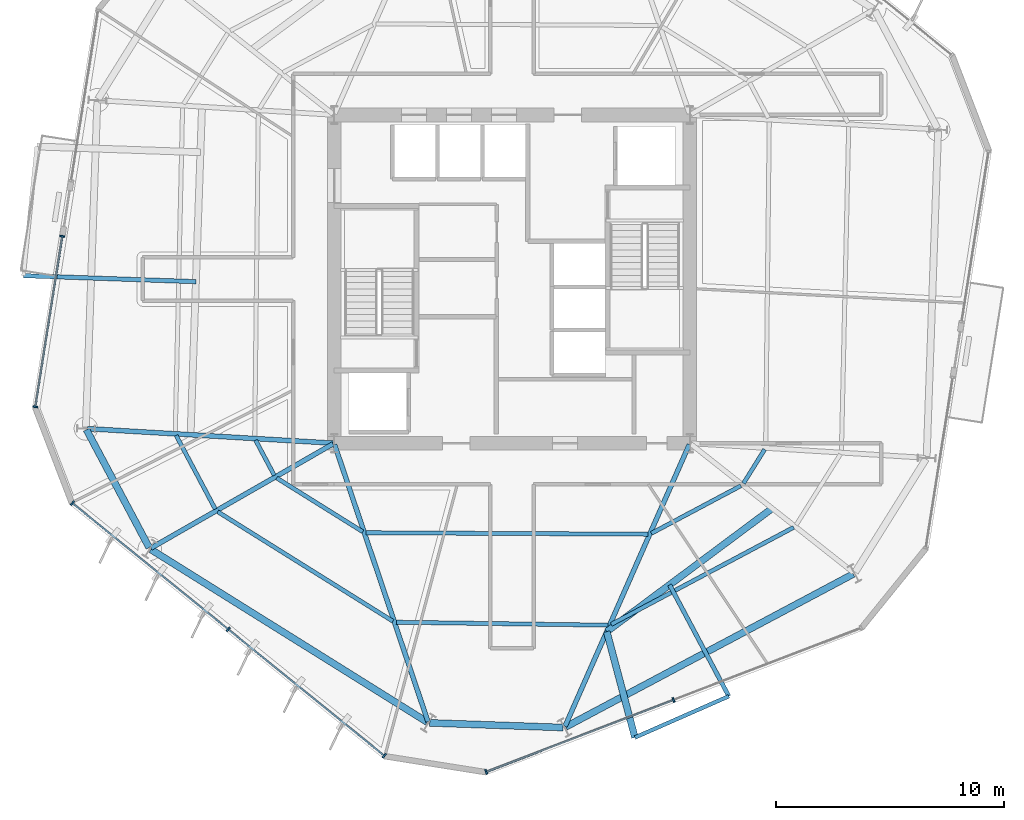
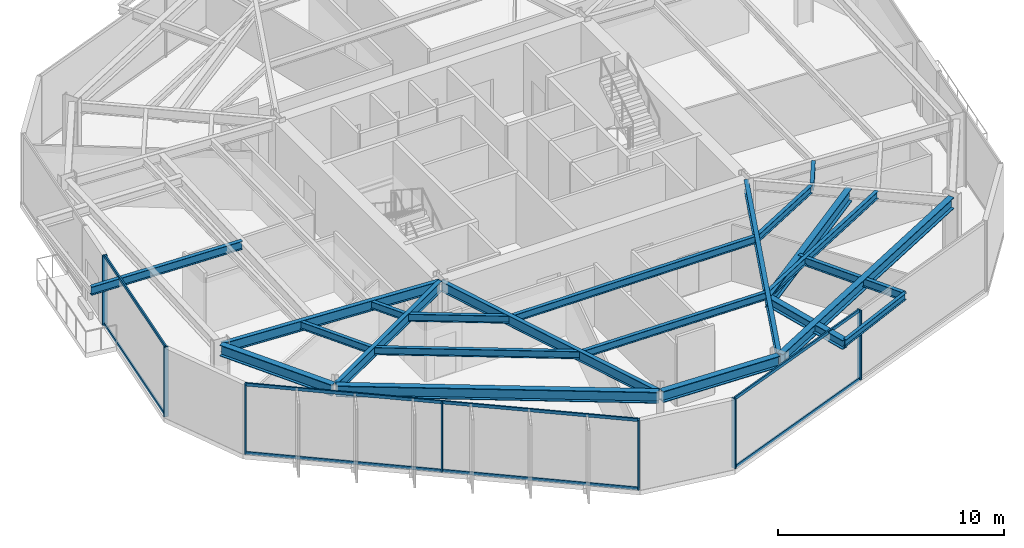
# One storey, part 2 of 11: 22 beams, 15 members, 3 elements without a shape of their own.
"""IFC4 building model written with IfcOpenShell, lengths in metres."""

from ifc_helpers import new_model, si_unit, direction, frame, origin, origin_2d, place, context, subcontext, project, spatial, rectangle, i_section, extrude, material, layer, layer_set, material_profile, profile_set, type_object, element, aggregate, save


model = new_model("IFC4")

# Units and contexts
model_context = context("Model", 3, precision=1e-05, world=origin(), true_north=direction((0.0, 1.0)))
body_context = subcontext(model_context, "Body", "Model", "MODEL_VIEW")
ifc_project = project(units=[si_unit("LENGTHUNIT", "METRE"), si_unit("AREAUNIT", "SQUARE_METRE"), si_unit("VOLUMEUNIT", "CUBIC_METRE"), si_unit("PLANEANGLEUNIT", "RADIAN"), si_unit("MASSUNIT", "GRAM", prefix="KILO")], contexts=[model_context])

# Site, building, storey
site_placement = place(None, origin())
site = spatial("IfcSite", under=ifc_project, at=site_placement, CompositionType="ELEMENT")
building_placement = place(site_placement, origin())
building = spatial("IfcBuilding", under=site, at=building_placement, Name="Kranzbogen Civic Tower", CompositionType="ELEMENT")
storey_placement = place(building_placement, frame((0.0, 0.0, 106.39990234375)))
storey = spatial("IfcBuildingStorey", under=building, at=storey_placement, Name="L25", CompositionType="ELEMENT", Elevation=106.39990234375)

# Beams
ifc_material_1 = material(Name="Steel S355", Category="steel")
ifc_material_profile_1 = material_profile(ifc_material_1, i_section(OverallWidth=0.18994140625, OverallDepth=0.449951171875, WebThickness=0.009521484375, FlangeThickness=0.0146484375, at=origin_2d()), Name="IPE 450")
ifc_profile_set_1 = profile_set([ifc_material_profile_1], Name="Steel S355")
beam_type_1 = type_object("IfcBeamType", Name="Braced Terrace Edge Beam IPE 450", PredefinedType="BEAM", material=ifc_profile_set_1)
beam_1_placement = place(storey_placement, frame((31.912109375, 11.589111328125, 3.525146484375), z_axis=(0.4694498065, -0.882959160538, 0.0), x_axis=(0.882959160538, 0.4694498065, 0.0)))
element("IfcBeam", 1, at=beam_1_placement, inside=storey, type_object=beam_type_1, Name="L26 back-spanned terrace beam L26-TB2-2", PredefinedType="BEAM", context=body_context, shape_type="SweptSolid", body=[
    extrude(i_section(OverallWidth=0.18994140625, OverallDepth=0.449951171875, WebThickness=0.009521484375, FlangeThickness=0.0146484375, at=origin_2d()), origin(), (0.0, 0.0, 1.0), 5.533935546875),
])
beam_2_placement = place(storey_placement, frame((11.135986328125, 24.885986328125, 3.4951171875), z_axis=(-0.999391228303, 0.034888003546, 0.0), x_axis=(-0.034888003546, -0.999391228303, 0.0)))
element("IfcBeam", 2, at=beam_2_placement, inside=storey, type_object=beam_type_1, Name="L26 back-spanned terrace beam L26-ST-2", PredefinedType="BEAM", context=body_context, shape_type="SweptSolid", body=[
    extrude(i_section(OverallWidth=0.18994140625, OverallDepth=0.449951171875, WebThickness=0.009521484375, FlangeThickness=0.0146484375, at=origin_2d()), origin(), (0.0, 0.0, 1.0), 7.564697265625),
])

# Curtain wall, members
ifc_material_2 = material(Name="Pale Anodised Aluminium", Category="aluminium")
ifc_layer = layer(ifc_material_2, 0.219970703125, Name="Pale Anodised Aluminium")
ifc_layer_set = layer_set([ifc_layer], Name="Pale Anodised Aluminium")
curtain_wall_type = type_object("IfcCurtainWallType", Name="Zone 2 Stick Curtain Wall System CW-03", PredefinedType="USERDEFINED", material=ifc_layer_set)
curtain_wall_1_placement = place(storey_placement, origin())
curtain_wall_1 = element("IfcCurtainWall", 3, at=curtain_wall_1_placement, inside=storey, type_object=curtain_wall_type, Name="L25 curtain wall CW-L25-F3-S2", ObjectType="STICK CURTAIN WALL", PredefinedType="USERDEFINED")
ifc_material_profile_2 = material_profile(ifc_material_2, rectangle(XDim=0.074951171875, YDim=0.219970703125, at=origin_2d()), Name="ALU-M 75x220")
ifc_profile_set_2 = profile_set([ifc_material_profile_2], Name="Pale Anodised Aluminium")
member_type_1 = type_object("IfcMemberType", Name="Curtain Wall Mullion ALU-M 75x220", PredefinedType="MULLION", material=ifc_profile_set_2)
member_1_placement = place(storey_placement, frame((5.2783203125, 26.87841796875, 0.0), z_axis=(0.0, 0.0, 1.0), x_axis=(-0.156386286729, -0.987695970085, 0.0)))
member_1 = element("IfcMember", 4, at=member_1_placement, type_object=member_type_1, Name="CW-03 mullion 1", PredefinedType="MULLION", context=body_context, shape_type="SweptSolid", body=[
    extrude(rectangle(XDim=0.074951171875, YDim=0.219970703125, at=origin_2d()), origin(), (0.0, 0.0, 1.0), 3.760009765625),
])
member_2_placement = place(storey_placement, frame((4.09375, 19.396728515625, 0.0), z_axis=(0.0, 0.0, 1.0), x_axis=(-0.156386286729, -0.987695970085, 0.0)))
member_2 = element("IfcMember", 5, at=member_2_placement, type_object=member_type_1, Name="CW-03 mullion 2", PredefinedType="MULLION", context=body_context, shape_type="SweptSolid", body=[
    extrude(rectangle(XDim=0.074951171875, YDim=0.219970703125, at=origin_2d()), origin(), (0.0, 0.0, 1.0), 3.760009765625),
])

curtain_wall_2_placement = place(storey_placement, origin())
curtain_wall_2 = element("IfcCurtainWall", 6, at=curtain_wall_2_placement, inside=storey, type_object=curtain_wall_type, Name="L25 curtain wall CW-L25-F4", ObjectType="STICK CURTAIN WALL", PredefinedType="USERDEFINED")
member_3_placement = place(storey_placement, frame((5.71533203125, 15.174072265625, 0.0), z_axis=(0.0, 0.0, 1.0), x_axis=(0.777127546446, -0.629343131014, 0.0)))
member_3 = element("IfcMember", 7, at=member_3_placement, type_object=member_type_1, Name="CW-03 mullion 1", PredefinedType="MULLION", context=body_context, shape_type="SweptSolid", body=[
    extrude(rectangle(XDim=0.074951171875, YDim=0.219970703125, at=origin_2d()), origin(), (0.0, 0.0, 1.0), 3.760009765625),
])
member_4_placement = place(storey_placement, frame((12.556884765625, 9.633544921875, 0.0), z_axis=(0.0, 0.0, 1.0), x_axis=(0.777127546446, -0.629343131014, 0.0)))
member_4 = element("IfcMember", 8, at=member_4_placement, type_object=member_type_1, Name="CW-03 mullion 2", PredefinedType="MULLION", context=body_context, shape_type="SweptSolid", body=[
    extrude(rectangle(XDim=0.074951171875, YDim=0.219970703125, at=origin_2d()), origin(), (0.0, 0.0, 1.0), 3.760009765625),
])
member_5_placement = place(storey_placement, frame((19.398681640625, 4.0927734375, 0.0), z_axis=(0.0, 0.0, 1.0), x_axis=(0.777127546446, -0.629343131014, 0.0)))
member_5 = element("IfcMember", 9, at=member_5_placement, type_object=member_type_1, Name="CW-03 mullion 3", PredefinedType="MULLION", context=body_context, shape_type="SweptSolid", body=[
    extrude(rectangle(XDim=0.074951171875, YDim=0.219970703125, at=origin_2d()), origin(), (0.0, 0.0, 1.0), 3.760009765625),
])

curtain_wall_3_placement = place(storey_placement, origin())
curtain_wall_3 = element("IfcCurtainWall", 10, at=curtain_wall_3_placement, inside=storey, type_object=curtain_wall_type, Name="L25 curtain wall CW-L25-F5", ObjectType="STICK CURTAIN WALL", PredefinedType="USERDEFINED")
member_6_placement = place(storey_placement, frame((23.866943359375, 3.3857421875, 0.0), z_axis=(0.0, 0.0, 1.0), x_axis=(0.933570075247, 0.358394914309, 0.0)))
member_6 = element("IfcMember", 11, at=member_6_placement, type_object=member_type_1, Name="CW-03 mullion 1", PredefinedType="MULLION", context=body_context, shape_type="SweptSolid", body=[
    extrude(rectangle(XDim=0.074951171875, YDim=0.219970703125, at=origin_2d()), origin(), (0.0, 0.0, 1.0), 3.760009765625),
])
member_7_placement = place(storey_placement, frame((32.0859375, 6.541015625, 0.0), z_axis=(0.0, 0.0, 1.0), x_axis=(0.933570075247, 0.358394914309, 0.0)))
member_7 = element("IfcMember", 12, at=member_7_placement, type_object=member_type_1, Name="CW-03 mullion 2", PredefinedType="MULLION", context=body_context, shape_type="SweptSolid", body=[
    extrude(rectangle(XDim=0.074951171875, YDim=0.219970703125, at=origin_2d()), origin(), (0.0, 0.0, 1.0), 3.760009765625),
])

# Member
ifc_material_profile_3 = material_profile(ifc_material_2, rectangle(XDim=0.074951171875, YDim=0.1650390625, at=origin_2d()), Name="ALU-T 75x165")
ifc_profile_set_3 = profile_set([ifc_material_profile_3], Name="Pale Anodised Aluminium")
member_type_2 = type_object("IfcMemberType", Name="Curtain Wall Transom ALU-T 75x165", PredefinedType="USERDEFINED", material=ifc_profile_set_3)
member_8_placement = place(storey_placement, frame((5.273681640625, 26.8486328125, 0.030029296875), z_axis=(-0.156396314594, -0.987694382277, 0.0), x_axis=(0.987694382277, -0.156396314594, 0.0)))
member_8 = element("IfcMember", 13, at=member_8_placement, type_object=member_type_2, Name="CW-03 transom 1.1", ObjectType="TRANSOM", PredefinedType="USERDEFINED", context=body_context, shape_type="SweptSolid", body=[
    extrude(rectangle(XDim=0.074951171875, YDim=0.1650390625, at=origin_2d()), origin(), (0.0, 0.0, 1.0), 7.514892578125),
])

member_9_placement = place(storey_placement, frame((5.273681640625, 26.8486328125, 3.72998046875), z_axis=(-0.156396314594, -0.987694382277, 0.0), x_axis=(0.987694382277, -0.156396314594, 0.0)))
member_9 = element("IfcMember", 14, at=member_9_placement, type_object=member_type_2, Name="CW-03 transom 1.2", ObjectType="TRANSOM", PredefinedType="USERDEFINED", context=body_context, shape_type="SweptSolid", body=[
    extrude(rectangle(XDim=0.074951171875, YDim=0.1650390625, at=origin_2d()), origin(), (0.0, 0.0, 1.0), 7.514892578125),
])

aggregate(curtain_wall_1, [member_1, member_2, member_8, member_9])

member_10_placement = place(storey_placement, frame((5.738525390625, 15.1552734375, 0.030029296875), z_axis=(0.777128468422, -0.629341992535, 0.0), x_axis=(0.629341992535, 0.777128468422, 0.0)))
member_10 = element("IfcMember", 15, at=member_10_placement, type_object=member_type_2, Name="CW-03 transom 1.1", ObjectType="TRANSOM", PredefinedType="USERDEFINED", context=body_context, shape_type="SweptSolid", body=[
    extrude(rectangle(XDim=0.074951171875, YDim=0.1650390625, at=origin_2d()), origin(), (0.0, 0.0, 1.0), 8.743896484375),
])

member_11_placement = place(storey_placement, frame((5.738525390625, 15.1552734375, 3.72998046875), z_axis=(0.777128468422, -0.629341992535, 0.0), x_axis=(0.629341992535, 0.777128468422, 0.0)))
member_11 = element("IfcMember", 16, at=member_11_placement, type_object=member_type_2, Name="CW-03 transom 1.2", ObjectType="TRANSOM", PredefinedType="USERDEFINED", context=body_context, shape_type="SweptSolid", body=[
    extrude(rectangle(XDim=0.074951171875, YDim=0.1650390625, at=origin_2d()), origin(), (0.0, 0.0, 1.0), 8.743896484375),
])

member_12_placement = place(storey_placement, frame((12.580322265625, 9.614501953125, 0.030029296875), z_axis=(0.777142124127, -0.629325129728, 0.0), x_axis=(0.629325129728, 0.777142124127, 0.0)))
member_12 = element("IfcMember", 17, at=member_12_placement, type_object=member_type_2, Name="CW-03 transom 2.1", ObjectType="TRANSOM", PredefinedType="USERDEFINED", context=body_context, shape_type="SweptSolid", body=[
    extrude(rectangle(XDim=0.074951171875, YDim=0.1650390625, at=origin_2d()), origin(), (0.0, 0.0, 1.0), 8.743896484375),
])

member_13_placement = place(storey_placement, frame((12.580322265625, 9.614501953125, 3.72998046875), z_axis=(0.777142124127, -0.629325129728, 0.0), x_axis=(0.629325129728, 0.777142124127, 0.0)))
member_13 = element("IfcMember", 18, at=member_13_placement, type_object=member_type_2, Name="CW-03 transom 2.2", ObjectType="TRANSOM", PredefinedType="USERDEFINED", context=body_context, shape_type="SweptSolid", body=[
    extrude(rectangle(XDim=0.074951171875, YDim=0.1650390625, at=origin_2d()), origin(), (0.0, 0.0, 1.0), 8.743896484375),
])

aggregate(curtain_wall_2, [member_3, member_4, member_5, member_10, member_11, member_12, member_13])

member_14_placement = place(storey_placement, frame((23.89501953125, 3.396484375, 0.030029296875), z_axis=(0.933569943848, 0.358395256587, 0.0), x_axis=(-0.358395256587, 0.933569943848, 0.0)))
member_14 = element("IfcMember", 19, at=member_14_placement, type_object=member_type_2, Name="CW-03 transom 1.1", ObjectType="TRANSOM", PredefinedType="USERDEFINED", context=body_context, shape_type="SweptSolid", body=[
    extrude(rectangle(XDim=0.074951171875, YDim=0.1650390625, at=origin_2d()), origin(), (0.0, 0.0, 1.0), 8.743896484375),
])

member_15_placement = place(storey_placement, frame((23.89501953125, 3.396484375, 3.72998046875), z_axis=(0.933569943848, 0.358395256587, 0.0), x_axis=(-0.358395256587, 0.933569943848, 0.0)))
member_15 = element("IfcMember", 20, at=member_15_placement, type_object=member_type_2, Name="CW-03 transom 1.2", ObjectType="TRANSOM", PredefinedType="USERDEFINED", context=body_context, shape_type="SweptSolid", body=[
    extrude(rectangle(XDim=0.074951171875, YDim=0.1650390625, at=origin_2d()), origin(), (0.0, 0.0, 1.0), 8.743896484375),
])

aggregate(curtain_wall_3, [member_6, member_7, member_14, member_15])

# Beams
ifc_material_profile_4 = material_profile(ifc_material_1, i_section(OverallWidth=0.300048828125, OverallDepth=0.5, WebThickness=0.014404296875, FlangeThickness=0.028076171875, at=origin_2d()), Name="HEB 500")
ifc_profile_set_4 = profile_set([ifc_material_profile_4], Name="Steel S355")
beam_type_2 = type_object("IfcBeamType", Name="Perimeter Tube Spandrel Beam HEB 500", PredefinedType="SPANDREL", material=ifc_profile_set_4)
beam_3_placement = place(storey_placement, frame((29.156982421875, 9.537109375, 3.5), z_axis=(0.257210463578, -0.966355409477, 0.0), x_axis=(0.966355409477, 0.257210463578, 0.0)))
element("IfcBeam", 21, at=beam_3_placement, inside=storey, type_object=beam_type_2, Name="L26 back-spanned terrace beam L26-TB2-1", PredefinedType="SPANDREL", context=body_context, shape_type="SweptSolid", body=[
    extrude(i_section(OverallWidth=0.300048828125, OverallDepth=0.5, WebThickness=0.014404296875, FlangeThickness=0.028076171875, at=origin_2d()), origin(), (0.0, 0.0, 1.0), 4.8056640625),
])
ifc_material_profile_5 = material_profile(ifc_material_1, i_section(OverallWidth=0.300048828125, OverallDepth=0.60009765625, WebThickness=0.015380859375, FlangeThickness=0.030029296875, at=origin_2d()), Name="HEB 600")
ifc_profile_set_5 = profile_set([ifc_material_profile_5], Name="Steel S355")
beam_type_3 = type_object("IfcBeamType", Name="Perimeter Tube Spandrel Beam HEB 600", PredefinedType="SPANDREL", material=ifc_profile_set_5)
beam_4_placement = place(storey_placement, frame((6.337890625, 18.39111328125, 3.460205078125), z_axis=(0.469565926668, -0.882897412224, 0.0), x_axis=(0.882897412224, 0.469565926668, 0.0)))
element("IfcBeam", 22, at=beam_4_placement, inside=storey, type_object=beam_type_3, Name="L25 perimeter spandrel beam 01", PredefinedType="SPANDREL", context=body_context, shape_type="SweptSolid", body=[
    extrude(i_section(OverallWidth=0.300048828125, OverallDepth=0.60009765625, WebThickness=0.015380859375, FlangeThickness=0.030029296875, at=origin_2d()), origin(), (0.0, 0.0, 1.0), 5.852294921875),
])
beam_5_placement = place(storey_placement, frame((9.1650390625, 13.138916015625, 3.460205078125), z_axis=(0.848051101349, -0.52991445489, 0.0), x_axis=(0.52991445489, 0.848051101349, 0.0)))
element("IfcBeam", 23, at=beam_5_placement, inside=storey, type_object=beam_type_3, Name="L25 perimeter spandrel beam 02", PredefinedType="SPANDREL", context=body_context, shape_type="SweptSolid", body=[
    extrude(i_section(OverallWidth=0.300048828125, OverallDepth=0.60009765625, WebThickness=0.015380859375, FlangeThickness=0.030029296875, at=origin_2d()), origin(), (0.0, 0.0, 1.0), 14.286865234375),
])
beam_6_placement = place(storey_placement, frame((21.39208984375, 5.533935546875, 3.460205078125), z_axis=(0.999393148233, -0.03483296234, 0.0), x_axis=(0.03483296234, 0.999393148233, 0.0)))
element("IfcBeam", 24, at=beam_6_placement, inside=storey, type_object=beam_type_3, Name="L25 perimeter spandrel beam 03", PredefinedType="SPANDREL", context=body_context, shape_type="SweptSolid", body=[
    extrude(i_section(OverallWidth=0.300048828125, OverallDepth=0.60009765625, WebThickness=0.015380859375, FlangeThickness=0.030029296875, at=origin_2d()), origin(), (0.0, 0.0, 1.0), 5.8525390625),
])
beam_7_placement = place(storey_placement, frame((27.35400390625, 5.35595703125, 3.460205078125), z_axis=(0.882948194046, 0.469470432116, 0.0), x_axis=(-0.469470432116, 0.882948194046, 0.0)))
element("IfcBeam", 25, at=beam_7_placement, inside=storey, type_object=beam_type_3, Name="L25 perimeter spandrel beam 04", PredefinedType="SPANDREL", context=body_context, shape_type="SweptSolid", body=[
    extrude(i_section(OverallWidth=0.300048828125, OverallDepth=0.60009765625, WebThickness=0.015380859375, FlangeThickness=0.030029296875, at=origin_2d()), origin(), (0.0, 0.0, 1.0), 14.28857421875),
])
ifc_material_profile_6 = material_profile(ifc_material_1, i_section(OverallWidth=0.300048828125, OverallDepth=0.699951171875, WebThickness=0.01708984375, FlangeThickness=0.031982421875, at=origin_2d()), Name="HEB 700")
ifc_profile_set_6 = profile_set([ifc_material_profile_6], Name="Steel S355")
beam_type_4 = type_object("IfcBeamType", Name="Perimeter Tube Spandrel Beam HEB 700", PredefinedType="SPANDREL", material=ifc_profile_set_6)
beam_8_placement = place(storey_placement, frame((29.156982421875, 9.537109375, 3.400146484375), z_axis=(0.801896259305, 0.597463295369, 0.0), x_axis=(-0.597463295369, 0.801896259305, 0.0)))
element("IfcBeam", 26, at=beam_8_placement, inside=storey, type_object=beam_type_4, Name="L26 balcony back-span header girder L26-TB2", PredefinedType="SPANDREL", context=body_context, shape_type="SweptSolid", body=[
    extrude(i_section(OverallWidth=0.300048828125, OverallDepth=0.699951171875, WebThickness=0.01708984375, FlangeThickness=0.031982421875, at=origin_2d()), origin(), (0.0, 0.0, 1.0), 9.0498046875),
])
ifc_material_profile_7 = material_profile(ifc_material_1, i_section(OverallWidth=0.2099609375, OverallDepth=0.550048828125, WebThickness=0.010986328125, FlangeThickness=0.01708984375, at=origin_2d()), Name="IPE 550")
ifc_profile_set_7 = profile_set([ifc_material_profile_7], Name="Steel S355")
beam_type_5 = type_object("IfcBeamType", Name="Radial Tower Floor Girder IPE 550", PredefinedType="BEAM", material=ifc_profile_set_7)
beam_9_placement = place(storey_placement, frame((6.3701171875, 18.43994140625, 3.485107421875), z_axis=(0.998260925387, -0.058950189528, 0.0), x_axis=(0.058950189528, 0.998260925387, 0.0)))
element("IfcBeam", 27, at=beam_9_placement, inside=storey, type_object=beam_type_5, Name="L25 radial floor girder 01", PredefinedType="BEAM", context=body_context, shape_type="SweptSolid", body=[
    extrude(i_section(OverallWidth=0.2099609375, OverallDepth=0.550048828125, WebThickness=0.010986328125, FlangeThickness=0.01708984375, at=origin_2d()), origin(), (0.0, 0.0, 1.0), 10.78857421875),
])
beam_10_placement = place(storey_placement, frame((9.166015625, 13.200927734375, 3.485107421875), z_axis=(0.867868812182, 0.496793442833, 0.0), x_axis=(-0.496793442833, 0.867868812182, 0.0)))
element("IfcBeam", 28, at=beam_10_placement, inside=storey, type_object=beam_type_5, Name="L25 radial floor girder 02", PredefinedType="BEAM", context=body_context, shape_type="SweptSolid", body=[
    extrude(i_section(OverallWidth=0.2099609375, OverallDepth=0.550048828125, WebThickness=0.010986328125, FlangeThickness=0.01708984375, at=origin_2d()), origin(), (0.0, 0.0, 1.0), 9.197265625),
])
beam_11_placement = place(storey_placement, frame((21.31298828125, 5.593017578125, 3.485107421875), z_axis=(-0.319316617377, 0.947648087566, 0.0), x_axis=(-0.947648087566, -0.319316617377, 0.0)))
element("IfcBeam", 29, at=beam_11_placement, inside=storey, type_object=beam_type_5, Name="L25 radial floor girder 03", PredefinedType="BEAM", context=body_context, shape_type="SweptSolid", body=[
    extrude(i_section(OverallWidth=0.2099609375, OverallDepth=0.550048828125, WebThickness=0.010986328125, FlangeThickness=0.01708984375, at=origin_2d()), origin(), (0.0, 0.0, 1.0), 12.821044921875),
])
beam_12_placement = place(storey_placement, frame((27.324951171875, 5.383056640625, 3.485107421875), z_axis=(0.403459127705, 0.914997667905, 0.0), x_axis=(-0.914997667905, 0.403459127705, 0.0)))
element("IfcBeam", 30, at=beam_12_placement, inside=storey, type_object=beam_type_5, Name="L25 radial floor girder 04", PredefinedType="BEAM", context=body_context, shape_type="SweptSolid", body=[
    extrude(i_section(OverallWidth=0.2099609375, OverallDepth=0.550048828125, WebThickness=0.010986328125, FlangeThickness=0.01708984375, at=origin_2d()), origin(), (0.0, 0.0, 1.0), 13.510498046875),
])
ifc_material_profile_8 = material_profile(ifc_material_1, i_section(OverallWidth=0.169921875, OverallDepth=0.360107421875, WebThickness=0.008056640625, FlangeThickness=0.0126953125, at=origin_2d()), Name="IPE 360")
ifc_profile_set_8 = profile_set([ifc_material_profile_8], Name="Steel S355")
beam_type_6 = type_object("IfcBeamType", Name="Secondary Composite Floor Joist IPE 360", PredefinedType="JOIST", material=ifc_profile_set_8)
beam_13_placement = place(storey_placement, frame((30.39306640625, 4.89306640625, 3.570068359375), z_axis=(0.915449462933, 0.40243295195, 0.0), x_axis=(-0.40243295195, 0.915449462933, 0.0)))
element("IfcBeam", 31, at=beam_13_placement, inside=storey, type_object=beam_type_6, Name="L26 terrace outer edge trimmer L26-TB2", PredefinedType="JOIST", context=body_context, shape_type="SweptSolid", body=[
    extrude(i_section(OverallWidth=0.169921875, OverallDepth=0.360107421875, WebThickness=0.008056640625, FlangeThickness=0.0126953125, at=origin_2d()), origin(), (0.0, 0.0, 1.0), 4.4970703125),
])
ifc_material_profile_9 = material_profile(ifc_material_1, i_section(OverallWidth=0.179931640625, OverallDepth=0.39990234375, WebThickness=0.008544921875, FlangeThickness=0.013427734375, at=origin_2d()), Name="IPE 400")
ifc_profile_set_9 = profile_set([ifc_material_profile_9], Name="Steel S355")
beam_type_7 = type_object("IfcBeamType", Name="Secondary Composite Floor Joist IPE 400", PredefinedType="JOIST", material=ifc_profile_set_9)
beam_14_placement = place(storey_placement, frame((10.26806640625, 18.14208984375, 3.56005859375), z_axis=(0.469338791783, -0.88301817565, 0.0), x_axis=(0.88301817565, 0.469338791783, 0.0)))
element("IfcBeam", 32, at=beam_14_placement, inside=storey, type_object=beam_type_7, Name="L25 secondary floor joist 1.01", PredefinedType="JOIST", context=body_context, shape_type="SweptSolid", body=[
    extrude(i_section(OverallWidth=0.179931640625, OverallDepth=0.39990234375, WebThickness=0.008544921875, FlangeThickness=0.013427734375, at=origin_2d()), origin(), (0.0, 0.0, 1.0), 3.66259765625),
])
beam_15_placement = place(storey_placement, frame((13.7529296875, 17.93505859375, 3.56005859375), z_axis=(0.46943723363, -0.882965845139, 0.0), x_axis=(0.882965845139, 0.46943723363, 0.0)))
element("IfcBeam", 33, at=beam_15_placement, inside=storey, type_object=beam_type_7, Name="L25 secondary floor joist 2.01", PredefinedType="JOIST", context=body_context, shape_type="SweptSolid", body=[
    extrude(i_section(OverallWidth=0.179931640625, OverallDepth=0.39990234375, WebThickness=0.008544921875, FlangeThickness=0.013427734375, at=origin_2d()), origin(), (0.0, 0.0, 1.0), 1.7509765625),
])
beam_16_placement = place(storey_placement, frame((12.093017578125, 14.794921875, 3.56005859375), z_axis=(0.848025549308, -0.529955345026, 0.0), x_axis=(0.529955345026, 0.848025549308, 0.0)))
element("IfcBeam", 34, at=beam_16_placement, inside=storey, type_object=beam_type_7, Name="L25 secondary floor joist 1.02", PredefinedType="JOIST", context=body_context, shape_type="SweptSolid", body=[
    extrude(i_section(OverallWidth=0.179931640625, OverallDepth=0.39990234375, WebThickness=0.008544921875, FlangeThickness=0.013427734375, at=origin_2d()), origin(), (0.0, 0.0, 1.0), 9.06103515625),
])
beam_17_placement = place(storey_placement, frame((14.679931640625, 16.27587890625, 3.56005859375), z_axis=(0.848093834398, -0.529846060716, 0.0), x_axis=(0.529846060716, 0.848093834398, 0.0)))
element("IfcBeam", 35, at=beam_17_placement, inside=storey, type_object=beam_type_7, Name="L25 secondary floor joist 2.02", PredefinedType="JOIST", context=body_context, shape_type="SweptSolid", body=[
    extrude(i_section(OverallWidth=0.179931640625, OverallDepth=0.39990234375, WebThickness=0.008544921875, FlangeThickness=0.013427734375, at=origin_2d()), origin(), (0.0, 0.0, 1.0), 4.4501953125),
])
beam_18_placement = place(storey_placement, frame((19.924072265625, 9.949951171875, 3.56005859375), z_axis=(0.999900525148, -0.014104602386, 0.0), x_axis=(0.014104602386, 0.999900525148, 0.0)))
element("IfcBeam", 36, at=beam_18_placement, inside=storey, type_object=beam_type_7, Name="L25 secondary floor joist 1.03", PredefinedType="JOIST", context=body_context, shape_type="SweptSolid", body=[
    extrude(i_section(OverallWidth=0.179931640625, OverallDepth=0.39990234375, WebThickness=0.008544921875, FlangeThickness=0.013427734375, at=origin_2d()), origin(), (0.0, 0.0, 1.0), 9.27783203125),
])
beam_19_placement = place(storey_placement, frame((18.60205078125, 13.875, 3.56005859375), z_axis=(0.999985774147, -0.005333995002, 0.0), x_axis=(0.005333995002, 0.999985774147, 0.0)))
element("IfcBeam", 37, at=beam_19_placement, inside=storey, type_object=beam_type_7, Name="L25 secondary floor joist 2.03", PredefinedType="JOIST", context=body_context, shape_type="SweptSolid", body=[
    extrude(i_section(OverallWidth=0.179931640625, OverallDepth=0.39990234375, WebThickness=0.008544921875, FlangeThickness=0.013427734375, at=origin_2d()), origin(), (0.0, 0.0, 1.0), 12.358154296875),
])
beam_20_placement = place(storey_placement, frame((29.35107421875, 9.85498046875, 3.56005859375), z_axis=(0.882960787661, 0.469446746131, 0.0), x_axis=(-0.469446746131, 0.882960787661, 0.0)))
element("IfcBeam", 38, at=beam_20_placement, inside=storey, type_object=beam_type_7, Name="L25 secondary floor joist 1.04", PredefinedType="JOIST", context=body_context, shape_type="SweptSolid", body=[
    extrude(i_section(OverallWidth=0.179931640625, OverallDepth=0.39990234375, WebThickness=0.008544921875, FlangeThickness=0.013427734375, at=origin_2d()), origin(), (0.0, 0.0, 1.0), 9.0615234375),
])
beam_21_placement = place(storey_placement, frame((31.111083984375, 13.846923828125, 3.56005859375), z_axis=(0.882991399158, 0.469389165844, 0.0), x_axis=(-0.469389165844, 0.882991399158, 0.0)))
element("IfcBeam", 39, at=beam_21_placement, inside=storey, type_object=beam_type_7, Name="L25 secondary floor joist 2.04", PredefinedType="JOIST", context=body_context, shape_type="SweptSolid", body=[
    extrude(i_section(OverallWidth=0.179931640625, OverallDepth=0.39990234375, WebThickness=0.008544921875, FlangeThickness=0.013427734375, at=origin_2d()), origin(), (0.0, 0.0, 1.0), 4.45068359375),
])
beam_22_placement = place(storey_placement, frame((35.154052734375, 16.041015625, 3.56005859375), z_axis=(0.529572623603, 0.84826460278, 0.0), x_axis=(-0.84826460278, 0.529572623603, 0.0)))
element("IfcBeam", 40, at=beam_22_placement, inside=storey, type_object=beam_type_7, Name="L25 secondary floor joist 2.05", PredefinedType="JOIST", context=body_context, shape_type="SweptSolid", body=[
    extrude(i_section(OverallWidth=0.179931640625, OverallDepth=0.39990234375, WebThickness=0.008544921875, FlangeThickness=0.013427734375, at=origin_2d()), origin(), (0.0, 0.0, 1.0), 1.75048828125),
])

save(model, "model.ifc")
